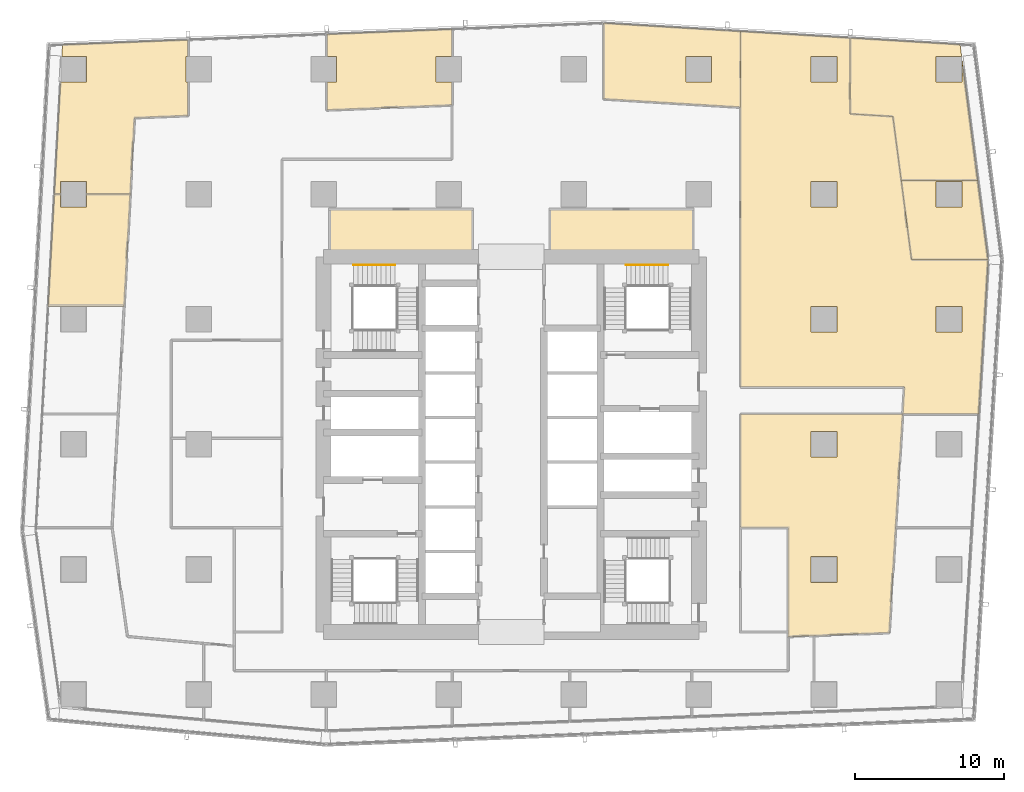
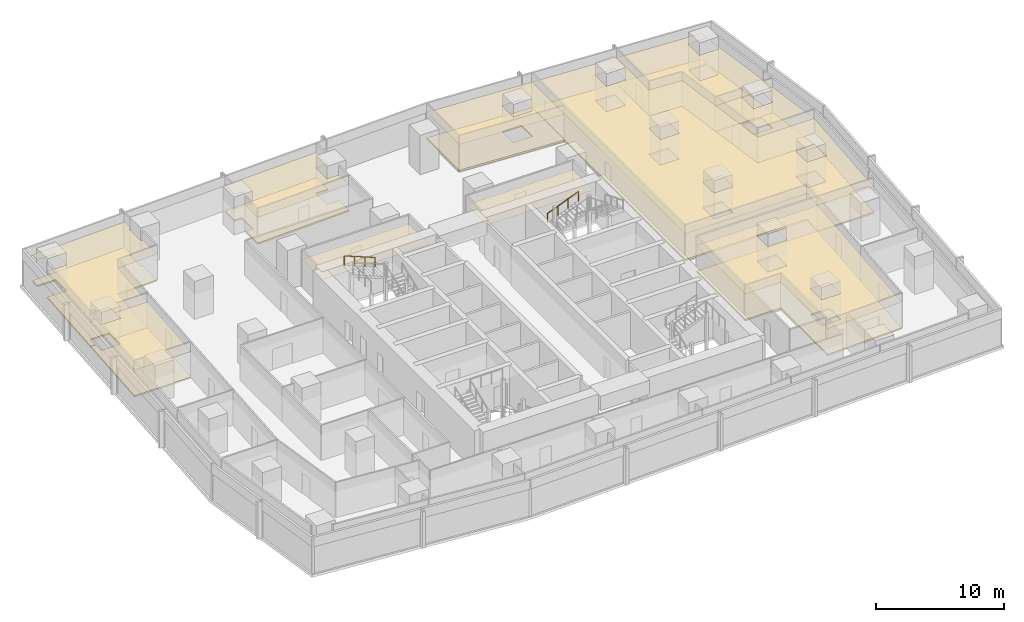
# One storey, part 40 of 40: 16 coverings, 2 railings.
"""IFC4 building model written with IfcOpenShell, lengths in metres."""

from ifc_helpers import new_model, si_unit, direction, frame, origin, origin_2d, place, context, subcontext, project, spatial, polyline, circle, outline, extrude, material, layer, layer_set, type_object, element, save


model = new_model("IFC4")

# Units and contexts
model_context = context("Model", 3, precision=1e-05, world=origin(), true_north=direction((0.0, 1.0)))
body_context = subcontext(model_context, "Body", "Model", "MODEL_VIEW")
ifc_project = project(units=[si_unit("LENGTHUNIT", "METRE"), si_unit("AREAUNIT", "SQUARE_METRE"), si_unit("VOLUMEUNIT", "CUBIC_METRE"), si_unit("PLANEANGLEUNIT", "RADIAN"), si_unit("MASSUNIT", "GRAM", prefix="KILO")], contexts=[model_context])

# Site, building, storey
site_placement = place(None, origin())
site = spatial("IfcSite", under=ifc_project, at=site_placement, CompositionType="ELEMENT")
building_placement = place(site_placement, origin())
building = spatial("IfcBuilding", under=site, at=building_placement, Name="Rekha Terrace Tower", CompositionType="ELEMENT")
storey_placement = place(building_placement, frame((0.0, 0.0, 136.550048828125)))
storey = spatial("IfcBuildingStorey", under=building, at=storey_placement, Name="L34", CompositionType="ELEMENT", Elevation=136.550048828125)

# Coverings
ifc_material_1 = material(Name="Mineral fibre tile in exposed grid", Category="finish")
ifc_layer_1 = layer(ifc_material_1, 0.02001953125)
ifc_layer_set_1 = layer_set([ifc_layer_1], Name="Mineral fibre tile in exposed grid")
covering_type_1 = type_object("IfcCoveringType", Name="CL1 600x1200 office grid ceiling", PredefinedType="CEILING", material=ifc_layer_set_1)
covering_1_placement = place(storey_placement, frame((0.0, 0.0, 2.579833984375)))
element("IfcCovering", 1, at=covering_1_placement, inside=storey, type_object=covering_type_1, Name="Ceiling L34-06", PredefinedType="CEILING", context=body_context, shape_type="SweptSolid", body=[
    extrude(outline(polyline([(64.68896484375, 46.00390625), (69.83203125, 46.00390625), (69.136962890625, 51.337890625), (63.993896484375, 51.337890625), (64.68896484375, 46.00390625)]), holes=[polyline([(68.06494140625, 49.534912109375), (66.3349609375, 49.534912109375), (66.3349609375, 51.264892578125), (68.06494140625, 51.264892578125), (68.06494140625, 49.534912109375)])]), origin(), (0.0, 0.0, 1.0), 0.02001953125),
])
covering_2_placement = place(storey_placement, frame((0.0, 0.0, 2.579833984375)))
element("IfcCovering", 2, at=covering_2_placement, inside=storey, type_object=covering_type_1, Name="Ceiling L34-07", PredefinedType="CEILING", context=body_context, shape_type="SweptSolid", body=[
    extrude(outline(polyline([(67.948974609375, 60.462890625), (60.56201171875, 60.906982421875), (60.56201171875, 55.798095703125), (63.43603515625, 55.625), (63.993896484375, 51.339111328125), (69.136962890625, 51.339111328125), (68.0849609375, 59.416015625), (68.06494140625, 59.4150390625), (68.06494140625, 57.93505859375), (66.3349609375, 57.93505859375), (66.3349609375, 59.6650390625), (68.052978515625, 59.6650390625), (67.948974609375, 60.462890625)])), origin(), (0.0, 0.0, 1.0), 0.02001953125),
])
covering_3_placement = place(storey_placement, frame((0.0, 0.0, 2.579833984375)))
element("IfcCovering", 3, at=covering_3_placement, inside=storey, type_object=covering_type_1, Name="Ceiling L34-O1", PredefinedType="CEILING", context=body_context, shape_type="SweptSolid", body=[
    extrude(outline(polyline([(56.39990234375, 20.674072265625), (58.133056640625, 20.741943359375), (63.193115234375, 20.93896484375), (63.625, 27.9970703125), (64.093017578125, 35.633056640625), (69.202880859375, 35.633056640625), (69.8359375, 45.971923828125), (69.83203125, 46.00390625), (64.68896484375, 46.00390625), (63.991943359375, 51.35498046875), (63.43603515625, 55.625), (60.56201171875, 55.798095703125), (60.56201171875, 60.906982421875), (53.200927734375, 61.34912109375), (53.200927734375, 37.43701171875), (64.202880859375, 37.43701171875), (64.093017578125, 35.636962890625), (53.199951171875, 35.636962890625), (53.199951171875, 28.0), (56.39990234375, 28.0), (56.39990234375, 20.674072265625)]), holes=[polyline([(68.06494140625, 41.135009765625), (66.3349609375, 41.135009765625), (66.3349609375, 42.864990234375), (68.06494140625, 42.864990234375), (68.06494140625, 41.135009765625)]), polyline([(59.6650390625, 26.06494140625), (59.6650390625, 24.3349609375), (57.93505859375, 24.3349609375), (57.93505859375, 26.06494140625), (59.6650390625, 26.06494140625)]), polyline([(59.6650390625, 32.735107421875), (57.93505859375, 32.735107421875), (57.93505859375, 34.465087890625), (59.6650390625, 34.465087890625), (59.6650390625, 32.735107421875)]), polyline([(59.6650390625, 41.135009765625), (57.93505859375, 41.135009765625), (57.93505859375, 42.864990234375), (59.6650390625, 42.864990234375), (59.6650390625, 41.135009765625)]), polyline([(59.6650390625, 49.534912109375), (57.93505859375, 49.534912109375), (57.93505859375, 51.264892578125), (59.6650390625, 51.264892578125), (59.6650390625, 49.534912109375)]), polyline([(59.6650390625, 57.93505859375), (57.93505859375, 57.93505859375), (57.93505859375, 59.6650390625), (59.6650390625, 59.6650390625), (59.6650390625, 57.93505859375)])]), origin(), (0.0, 0.0, 1.0), 0.02001953125),
])
covering_4_placement = place(storey_placement, frame((0.0, 0.0, 2.579833984375)))
element("IfcCovering", 4, at=covering_4_placement, inside=storey, type_object=covering_type_1, Name="Ceiling L34-10", PredefinedType="CEILING", context=body_context, shape_type="SweptSolid", body=[
    extrude(outline(polyline([(44.00390625, 56.79296875), (53.196044921875, 56.239990234375), (53.196044921875, 61.35009765625), (44.00390625, 61.902099609375), (44.00390625, 56.79296875)]), holes=[polyline([(51.264892578125, 57.93505859375), (49.534912109375, 57.93505859375), (49.534912109375, 59.6650390625), (51.264892578125, 59.6650390625), (51.264892578125, 57.93505859375)])]), origin(), (0.0, 0.0, 1.0), 0.02001953125),
])
covering_5_placement = place(storey_placement, frame((0.0, 0.0, 2.579833984375)))
element("IfcCovering", 5, at=covering_5_placement, inside=storey, type_object=covering_type_1, Name="Ceiling L34-11", PredefinedType="CEILING", context=body_context, shape_type="SweptSolid", body=[
    extrude(outline(polyline([(25.4140625, 57.93505859375), (25.4140625, 56.050048828125), (33.826904296875, 56.386962890625), (33.826904296875, 57.93505859375), (32.735107421875, 57.93505859375), (32.735107421875, 59.6650390625), (33.826904296875, 59.6650390625), (33.826904296875, 61.490966796875), (25.4140625, 61.154052734375), (25.4140625, 59.6650390625), (26.06494140625, 59.6650390625), (26.06494140625, 57.93505859375), (25.4140625, 57.93505859375)])), origin(), (0.0, 0.0, 1.0), 0.02001953125),
])
covering_6_placement = place(storey_placement, frame((0.0, 0.0, 2.579833984375)))
element("IfcCovering", 6, at=covering_6_placement, inside=storey, type_object=covering_type_1, Name="Ceiling L34-12", PredefinedType="CEILING", context=body_context, shape_type="SweptSolid", body=[
    extrude(outline(polyline([(9.264892578125, 57.93505859375), (7.51611328125, 57.93505859375), (7.10302734375, 50.403076171875), (7.534912109375, 50.403076171875), (7.534912109375, 51.264892578125), (9.264892578125, 51.264892578125), (9.264892578125, 50.403076171875), (12.2099609375, 50.403076171875), (12.490966796875, 55.531982421875), (16.10107421875, 55.676025390625), (16.10107421875, 57.93505859375), (15.93505859375, 57.93505859375), (15.93505859375, 59.6650390625), (16.10107421875, 59.6650390625), (16.10107421875, 60.781005859375), (7.653076171875, 60.44189453125), (7.610107421875, 59.6650390625), (9.264892578125, 59.6650390625), (9.264892578125, 57.93505859375)])), origin(), (0.0, 0.0, 1.0), 0.02001953125),
])
covering_7_placement = place(storey_placement, frame((0.0, 0.0, 2.579833984375)))
element("IfcCovering", 7, at=covering_7_placement, inside=storey, type_object=covering_type_1, Name="Ceiling L34-13", PredefinedType="CEILING", context=body_context, shape_type="SweptSolid", body=[
    extrude(outline(polyline([(6.68994140625, 42.873046875), (11.797119140625, 42.873046875), (12.2099609375, 50.402099609375), (9.264892578125, 50.402099609375), (9.264892578125, 49.534912109375), (7.534912109375, 49.534912109375), (7.534912109375, 50.402099609375), (7.10302734375, 50.402099609375), (6.68994140625, 42.873046875)])), origin(), (0.0, 0.0, 1.0), 0.02001953125),
])
ifc_material_2 = material(Name="Fibre cement board", Category="finish")
ifc_layer_2 = layer(ifc_material_2, 0.014892578125)
ifc_layer_set_2 = layer_set([ifc_layer_2], Name="Fibre cement board")
covering_type_2 = type_object("IfcCoveringType", Name="CL2 moisture-resistant board ceiling", PredefinedType="CEILING", material=ifc_layer_set_2)
covering_8_placement = place(storey_placement, frame((0.0, 0.0, 2.5849609375)))
element("IfcCovering", 8, at=covering_8_placement, inside=storey, type_object=covering_type_2, Name="Ceiling L34-WCF", PredefinedType="CEILING", context=body_context, shape_type="SweptSolid", body=[
    extrude(outline(polyline([(50.0, 49.39990234375), (40.39990234375, 49.39990234375), (40.39990234375, 46.199951171875), (50.0, 46.199951171875), (50.0, 49.39990234375)])), origin(), (0.0, 0.0, 1.0), 0.014892578125),
])
covering_9_placement = place(storey_placement, frame((0.0, 0.0, 2.5849609375)))
element("IfcCovering", 9, at=covering_9_placement, inside=storey, type_object=covering_type_2, Name="Ceiling L34-WCF2", PredefinedType="CEILING", context=body_context, shape_type="SweptSolid", body=[
    extrude(outline(polyline([(35.199951171875, 49.39990234375), (25.60009765625, 49.39990234375), (25.60009765625, 46.199951171875), (35.199951171875, 46.199951171875), (35.199951171875, 49.39990234375)])), origin(), (0.0, 0.0, 1.0), 0.014892578125),
])

# Railings
ifc_material_3 = material(Name="Stainless steel tube", Category="steel")
railing_type = type_object("IfcRailingType", Name="HR1 900 stair handrail", PredefinedType="HANDRAIL", material=ifc_material_3)
railing_1_placement = place(storey_placement, frame((45.52490234375, 45.639892578125, 1.375)))
element("IfcRailing", 10, at=railing_1_placement, inside=storey, type_object=railing_type, Name="Handrail ST2 L34 flight 2", PredefinedType="HANDRAIL", context=body_context, shape_type="SweptSolid", body=[
    extrude(circle(Radius=0.02392578125, at=origin_2d()), frame((0.0, 0.0, 0.8759765625), z_axis=(0.927443287984, 0.0, 0.373963831907), x_axis=(0.0, 1.0, 0.0)), (0.0, 0.0, 1.0), 3.00830078125),
    extrude(circle(Radius=0.02099609375, at=origin_2d()), origin(), (0.0, 0.0, 1.0), 0.851806640625),
    extrude(circle(Radius=0.02099609375, at=origin_2d()), frame((0.929931640625, 0.0, 0.375)), (0.0, 0.0, 1.0), 0.851806640625),
    extrude(circle(Radius=0.02099609375, at=origin_2d()), frame((1.860107421875, 0.0, 0.75)), (0.0, 0.0, 1.0), 0.851806640625),
    extrude(circle(Radius=0.02099609375, at=origin_2d()), frame((2.7900390625, 0.0, 1.125)), (0.0, 0.0, 1.0), 0.851806640625),
])
railing_2_placement = place(storey_placement, frame((29.989990234375, 45.639892578125, 2.625)))
element("IfcRailing", 11, at=railing_2_placement, inside=storey, type_object=railing_type, Name="Handrail ST4 L34 flight 3", PredefinedType="HANDRAIL", context=body_context, shape_type="SweptSolid", body=[
    extrude(circle(Radius=0.02392578125, at=origin_2d()), frame((0.0, 0.0, 0.8759765625), z_axis=(-0.927443287984, 0.0, 0.373963831907), x_axis=(0.0, -1.0, 0.0)), (0.0, 0.0, 1.0), 3.00830078125),
    extrude(circle(Radius=0.02099609375, at=origin_2d()), origin(), (0.0, 0.0, 1.0), 0.851806640625),
    extrude(circle(Radius=0.02099609375, at=origin_2d()), frame((-0.929931640625, 0.0, 0.375)), (0.0, 0.0, 1.0), 0.851806640625),
    extrude(circle(Radius=0.02099609375, at=origin_2d()), frame((-1.860107421875, 0.0, 0.75)), (0.0, 0.0, 1.0), 0.851806640625),
    extrude(circle(Radius=0.02099609375, at=origin_2d()), frame((-2.7900390625, 0.0, 1.125)), (0.0, 0.0, 1.0), 0.851806640625),
])

# Coverings
ifc_material_4 = material(Name="Calcium sulphate panels on steel pedestals", Category="steel")
ifc_layer_3 = layer(ifc_material_4, 0.14990234375)
ifc_layer_set_3 = layer_set([ifc_layer_3], Name="Calcium sulphate panels on steel pedestals")
covering_type_3 = type_object("IfcCoveringType", Name="RF1 150 raised access floor", PredefinedType="FLOORING", material=ifc_layer_set_3)
covering_10_placement = place(storey_placement, origin())
element("IfcCovering", 12, at=covering_10_placement, inside=storey, type_object=covering_type_3, Name="Raised floor L34-06", PredefinedType="FLOORING", context=body_context, shape_type="SweptSolid", body=[
    extrude(outline(polyline([(64.68896484375, 46.00390625), (69.83203125, 46.00390625), (69.136962890625, 51.337890625), (63.993896484375, 51.337890625), (64.68896484375, 46.00390625)]), holes=[polyline([(68.06494140625, 49.534912109375), (66.3349609375, 49.534912109375), (66.3349609375, 51.264892578125), (68.06494140625, 51.264892578125), (68.06494140625, 49.534912109375)])]), origin(), (0.0, 0.0, 1.0), 0.14990234375),
])
covering_11_placement = place(storey_placement, origin())
element("IfcCovering", 13, at=covering_11_placement, inside=storey, type_object=covering_type_3, Name="Raised floor L34-07", PredefinedType="FLOORING", context=body_context, shape_type="SweptSolid", body=[
    extrude(outline(polyline([(67.948974609375, 60.462890625), (60.56201171875, 60.906982421875), (60.56201171875, 55.798095703125), (63.43603515625, 55.625), (63.993896484375, 51.339111328125), (69.136962890625, 51.339111328125), (68.0849609375, 59.416015625), (68.06494140625, 59.4150390625), (68.06494140625, 57.93505859375), (66.3349609375, 57.93505859375), (66.3349609375, 59.6650390625), (68.052978515625, 59.6650390625), (67.948974609375, 60.462890625)])), origin(), (0.0, 0.0, 1.0), 0.14990234375),
])
covering_12_placement = place(storey_placement, origin())
element("IfcCovering", 14, at=covering_12_placement, inside=storey, type_object=covering_type_3, Name="Raised floor L34-O1", PredefinedType="FLOORING", context=body_context, shape_type="SweptSolid", body=[
    extrude(outline(polyline([(56.39990234375, 20.674072265625), (58.133056640625, 20.741943359375), (63.193115234375, 20.93896484375), (63.625, 27.9970703125), (64.093017578125, 35.633056640625), (69.202880859375, 35.633056640625), (69.8359375, 45.971923828125), (69.83203125, 46.00390625), (64.68896484375, 46.00390625), (63.991943359375, 51.35498046875), (63.43603515625, 55.625), (60.56201171875, 55.798095703125), (60.56201171875, 60.906982421875), (53.200927734375, 61.34912109375), (53.200927734375, 37.43701171875), (64.202880859375, 37.43701171875), (64.093017578125, 35.636962890625), (53.199951171875, 35.636962890625), (53.199951171875, 28.0), (56.39990234375, 28.0), (56.39990234375, 20.674072265625)]), holes=[polyline([(68.06494140625, 41.135009765625), (66.3349609375, 41.135009765625), (66.3349609375, 42.864990234375), (68.06494140625, 42.864990234375), (68.06494140625, 41.135009765625)]), polyline([(59.6650390625, 26.06494140625), (59.6650390625, 24.3349609375), (57.93505859375, 24.3349609375), (57.93505859375, 26.06494140625), (59.6650390625, 26.06494140625)]), polyline([(59.6650390625, 32.735107421875), (57.93505859375, 32.735107421875), (57.93505859375, 34.465087890625), (59.6650390625, 34.465087890625), (59.6650390625, 32.735107421875)]), polyline([(59.6650390625, 41.135009765625), (57.93505859375, 41.135009765625), (57.93505859375, 42.864990234375), (59.6650390625, 42.864990234375), (59.6650390625, 41.135009765625)]), polyline([(59.6650390625, 49.534912109375), (57.93505859375, 49.534912109375), (57.93505859375, 51.264892578125), (59.6650390625, 51.264892578125), (59.6650390625, 49.534912109375)]), polyline([(59.6650390625, 57.93505859375), (57.93505859375, 57.93505859375), (57.93505859375, 59.6650390625), (59.6650390625, 59.6650390625), (59.6650390625, 57.93505859375)])]), origin(), (0.0, 0.0, 1.0), 0.14990234375),
])
covering_13_placement = place(storey_placement, origin())
element("IfcCovering", 15, at=covering_13_placement, inside=storey, type_object=covering_type_3, Name="Raised floor L34-10", PredefinedType="FLOORING", context=body_context, shape_type="SweptSolid", body=[
    extrude(outline(polyline([(44.00390625, 56.79296875), (53.196044921875, 56.239990234375), (53.196044921875, 61.35009765625), (44.00390625, 61.902099609375), (44.00390625, 56.79296875)]), holes=[polyline([(51.264892578125, 57.93505859375), (49.534912109375, 57.93505859375), (49.534912109375, 59.6650390625), (51.264892578125, 59.6650390625), (51.264892578125, 57.93505859375)])]), origin(), (0.0, 0.0, 1.0), 0.14990234375),
])
covering_14_placement = place(storey_placement, origin())
element("IfcCovering", 16, at=covering_14_placement, inside=storey, type_object=covering_type_3, Name="Raised floor L34-11", PredefinedType="FLOORING", context=body_context, shape_type="SweptSolid", body=[
    extrude(outline(polyline([(25.4140625, 57.93505859375), (25.4140625, 56.050048828125), (33.826904296875, 56.386962890625), (33.826904296875, 57.93505859375), (32.735107421875, 57.93505859375), (32.735107421875, 59.6650390625), (33.826904296875, 59.6650390625), (33.826904296875, 61.490966796875), (25.4140625, 61.154052734375), (25.4140625, 59.6650390625), (26.06494140625, 59.6650390625), (26.06494140625, 57.93505859375), (25.4140625, 57.93505859375)])), origin(), (0.0, 0.0, 1.0), 0.14990234375),
])
covering_15_placement = place(storey_placement, origin())
element("IfcCovering", 17, at=covering_15_placement, inside=storey, type_object=covering_type_3, Name="Raised floor L34-12", PredefinedType="FLOORING", context=body_context, shape_type="SweptSolid", body=[
    extrude(outline(polyline([(9.264892578125, 57.93505859375), (7.51611328125, 57.93505859375), (7.10302734375, 50.403076171875), (7.534912109375, 50.403076171875), (7.534912109375, 51.264892578125), (9.264892578125, 51.264892578125), (9.264892578125, 50.403076171875), (12.2099609375, 50.403076171875), (12.490966796875, 55.531982421875), (16.10107421875, 55.676025390625), (16.10107421875, 57.93505859375), (15.93505859375, 57.93505859375), (15.93505859375, 59.6650390625), (16.10107421875, 59.6650390625), (16.10107421875, 60.781005859375), (7.653076171875, 60.44189453125), (7.610107421875, 59.6650390625), (9.264892578125, 59.6650390625), (9.264892578125, 57.93505859375)])), origin(), (0.0, 0.0, 1.0), 0.14990234375),
])
covering_16_placement = place(storey_placement, origin())
element("IfcCovering", 18, at=covering_16_placement, inside=storey, type_object=covering_type_3, Name="Raised floor L34-13", PredefinedType="FLOORING", context=body_context, shape_type="SweptSolid", body=[
    extrude(outline(polyline([(6.68994140625, 42.873046875), (11.797119140625, 42.873046875), (12.2099609375, 50.402099609375), (9.264892578125, 50.402099609375), (9.264892578125, 49.534912109375), (7.534912109375, 49.534912109375), (7.534912109375, 50.402099609375), (7.10302734375, 50.402099609375), (6.68994140625, 42.873046875)])), origin(), (0.0, 0.0, 1.0), 0.14990234375),
])

save(model, "model.ifc")
